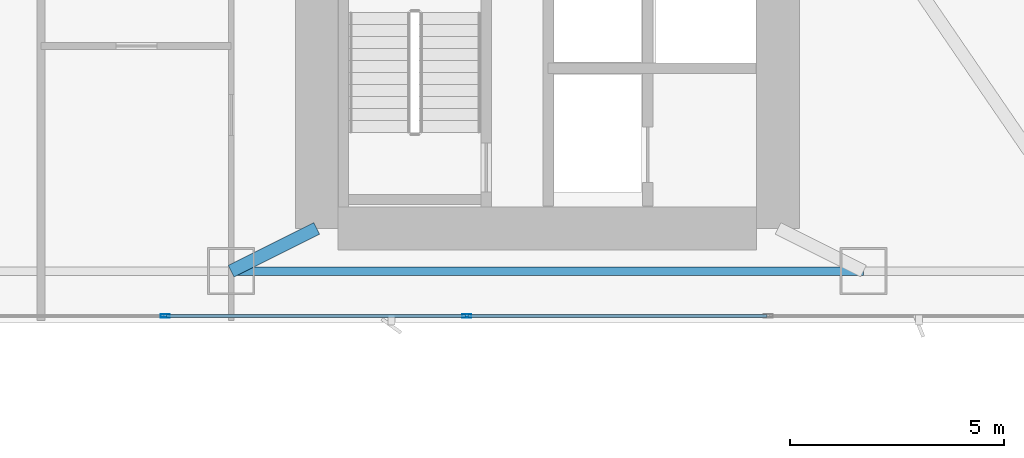
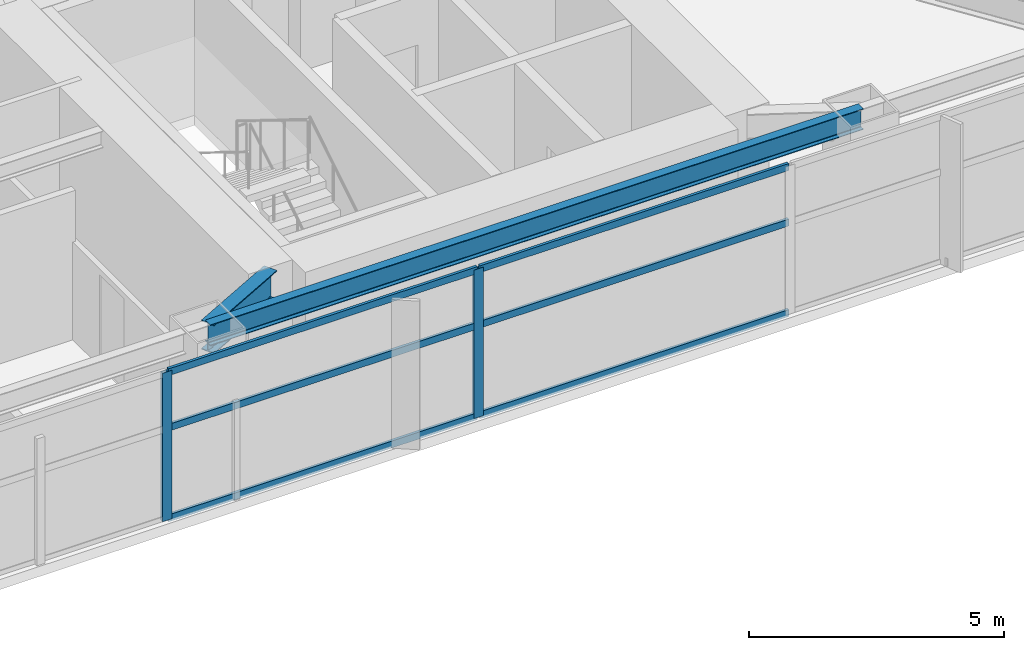
# One storey, part 6 of 29: 8 members, 2 beams, 1 element without a shape of its own.
"""IFC4 building model written with IfcOpenShell, lengths in metres."""

from ifc_helpers import new_model, si_unit, direction, frame, origin, origin_2d, place, context, subcontext, project, spatial, hollow_rectangle, i_section, extrude, material, layer, layer_set, material_profile, profile_set, type_object, element, aggregate, save


model = new_model("IFC4")

# Units and contexts
model_context = context("Model", 3, precision=1e-05, world=origin(), true_north=direction((0.0, 1.0)))
body_context = subcontext(model_context, "Body", "Model", "MODEL_VIEW")
ifc_project = project(units=[si_unit("LENGTHUNIT", "METRE"), si_unit("AREAUNIT", "SQUARE_METRE"), si_unit("VOLUMEUNIT", "CUBIC_METRE"), si_unit("PLANEANGLEUNIT", "RADIAN"), si_unit("MASSUNIT", "GRAM", prefix="KILO")], contexts=[model_context])

# Site, building, storey
site_placement = place(None, origin())
site = spatial("IfcSite", under=ifc_project, at=site_placement, CompositionType="ELEMENT")
building_placement = place(site_placement, origin())
building = spatial("IfcBuilding", under=site, at=building_placement, Name="Calvorn Quay Hotel", CompositionType="ELEMENT")
storey_placement = place(building_placement, frame((0.0, 0.0, 81.199951171875)))
storey = spatial("IfcBuildingStorey", under=building, at=storey_placement, Name="L19", CompositionType="ELEMENT", Elevation=81.199951171875)

# Beams
ifc_material_1 = material(Name="Steel Q390GJC", Category="steel")
ifc_material_profile_1 = material_profile(ifc_material_1, i_section(OverallWidth=0.300048828125, OverallDepth=0.699951171875, WebThickness=0.012939453125, FlangeThickness=0.02392578125, FilletRadius=0.02392578125, at=origin_2d()), Name="HN700x300x13x24")
ifc_profile_set_1 = profile_set([ifc_material_profile_1], Name="Steel Q390GJC")
beam_type_1 = type_object("IfcBeamType", Name="BM-GIRD-MAIN", PredefinedType="BEAM", material=ifc_profile_set_1)
beam_1_placement = place(storey_placement, frame((19.60009765625, 3.60009765625, 3.18994140625), z_axis=(0.894427191, 0.4472135955, 0.0), x_axis=(-0.4472135955, 0.894427191, 0.0)))
element("IfcBeam", 1, at=beam_1_placement, inside=storey, type_object=beam_type_1, Name="Beam BG-L19-S2", PredefinedType="BEAM", context=body_context, shape_type="SweptSolid", body=[
    extrude(i_section(OverallWidth=0.300048828125, OverallDepth=0.699951171875, WebThickness=0.012939453125, FlangeThickness=0.02392578125, FilletRadius=0.02392578125, at=origin_2d()), origin(), (0.0, 0.0, 1.0), 2.236083984375),
])
ifc_material_2 = material(Name="Steel Q355B", Category="steel")
ifc_material_profile_2 = material_profile(ifc_material_2, i_section(OverallWidth=0.199951171875, OverallDepth=0.5, WebThickness=0.010009765625, FlangeThickness=0.01611328125, FilletRadius=0.01611328125, at=origin_2d()), Name="HN500x200x10x16")
ifc_profile_set_2 = profile_set([ifc_material_profile_2], Name="Steel Q355B")
beam_type_2 = type_object("IfcBeamType", Name="BM-SPANDREL-Z1", PredefinedType="SPANDREL", material=ifc_profile_set_2)
beam_2_placement = place(storey_placement, frame((19.60009765625, 3.60009765625, 3.2900390625), z_axis=(1.0, 0.0, 0.0), x_axis=(0.0, 1.0, 0.0)))
element("IfcBeam", 2, at=beam_2_placement, inside=storey, type_object=beam_type_2, Name="Beam BSP-L19-S3", PredefinedType="SPANDREL", context=body_context, shape_type="SweptSolid", body=[
    extrude(i_section(OverallWidth=0.199951171875, OverallDepth=0.5, WebThickness=0.010009765625, FlangeThickness=0.01611328125, FilletRadius=0.01611328125, at=origin_2d()), origin(), (0.0, 0.0, 1.0), 14.7998046875),
])

# Curtain wall, members
ifc_material_3 = material(Name="Pale Anodised Aluminium and Low-E Glass", Category="aluminium")
ifc_layer = layer(ifc_material_3, 0.219970703125)
ifc_layer_set = layer_set([ifc_layer], Name="CW-SYS-Z1")
curtain_wall_type = type_object("IfcCurtainWallType", Name="CW-SYS-Z1", PredefinedType="NOTDEFINED", material=ifc_layer_set)
curtain_wall_placement = place(storey_placement, origin())
curtain_wall = element("IfcCurtainWall", 3, at=curtain_wall_placement, inside=storey, type_object=curtain_wall_type, Name="Tower South Waterfront Curtain Wall (L19)", PredefinedType="NOTDEFINED")
ifc_material_4 = material(Name="Pale Anodised Aluminium 6063-T6", Category="aluminium")
ifc_material_profile_3 = material_profile(ifc_material_4, hollow_rectangle(XDim=0.074951171875, YDim=0.219970703125, WallThickness=0.00439453125, at=origin_2d()), Name="ALU-M220x75x4.5")
ifc_profile_set_3 = profile_set([ifc_material_profile_3], Name="Pale Anodised Aluminium 6063-T6")
member_type_1 = type_object("IfcMemberType", Name="CW-SYS-Z1-MUL", PredefinedType="MULLION", material=ifc_profile_set_3)
member_1_placement = place(storey_placement, frame((18.05712890625, 2.550048828125, 0.0), z_axis=(0.0, 0.0, 1.0), x_axis=(0.0, 1.0, 0.0)))
member_1 = element("IfcMember", 4, at=member_1_placement, type_object=member_type_1, Name="CW-L19-S mullion 2", PredefinedType="MULLION", context=body_context, shape_type="SweptSolid", body=[
    extrude(hollow_rectangle(XDim=0.074951171875, YDim=0.219970703125, WallThickness=0.00439453125, at=origin_2d()), origin(), (0.0, 0.0, 1.0), 3.56005859375),
])
member_2_placement = place(storey_placement, frame((25.1142578125, 2.550048828125, 0.0), z_axis=(0.0, 0.0, 1.0), x_axis=(0.0, 1.0, 0.0)))
member_2 = element("IfcMember", 5, at=member_2_placement, type_object=member_type_1, Name="CW-L19-S mullion 3", PredefinedType="MULLION", context=body_context, shape_type="SweptSolid", body=[
    extrude(hollow_rectangle(XDim=0.074951171875, YDim=0.219970703125, WallThickness=0.00439453125, at=origin_2d()), origin(), (0.0, 0.0, 1.0), 3.56005859375),
])
ifc_material_5 = material(Name="Pale Anodised Aluminium 6063-T6", Category="aluminium")
ifc_material_profile_4 = material_profile(ifc_material_5, hollow_rectangle(XDim=0.06494140625, YDim=0.1650390625, WallThickness=0.00341796875, at=origin_2d()), Name="ALU-T165x65x3.5")
ifc_profile_set_4 = profile_set([ifc_material_profile_4], Name="Pale Anodised Aluminium 6063-T6")
member_type_2 = type_object("IfcMemberType", Name="CW-SYS-Z1-TRN", PredefinedType="USERDEFINED", material=ifc_profile_set_4)
member_3_placement = place(storey_placement, frame((18.087158203125, 2.550048828125, 0.030029296875), z_axis=(1.0, 0.0, 0.0), x_axis=(0.0, 1.0, 0.0)))
member_3 = element("IfcMember", 6, at=member_3_placement, type_object=member_type_2, Name="CW-L19-S transom 2.1", ObjectType="TRANSOM", PredefinedType="USERDEFINED", context=body_context, shape_type="SweptSolid", body=[
    extrude(hollow_rectangle(XDim=0.06494140625, YDim=0.1650390625, WallThickness=0.00341796875, at=origin_2d()), origin(), (0.0, 0.0, 1.0), 6.9970703125),
])
member_4_placement = place(storey_placement, frame((18.087158203125, 2.550048828125, 2.199951171875), z_axis=(1.0, 0.0, 0.0), x_axis=(0.0, 1.0, 0.0)))
member_4 = element("IfcMember", 7, at=member_4_placement, type_object=member_type_2, Name="CW-L19-S transom 2.2", ObjectType="TRANSOM", PredefinedType="USERDEFINED", context=body_context, shape_type="SweptSolid", body=[
    extrude(hollow_rectangle(XDim=0.06494140625, YDim=0.1650390625, WallThickness=0.00341796875, at=origin_2d()), origin(), (0.0, 0.0, 1.0), 6.9970703125),
])
member_5_placement = place(storey_placement, frame((18.087158203125, 2.550048828125, 3.530029296875), z_axis=(1.0, 0.0, 0.0), x_axis=(0.0, 1.0, 0.0)))
member_5 = element("IfcMember", 8, at=member_5_placement, type_object=member_type_2, Name="CW-L19-S transom 2.3", ObjectType="TRANSOM", PredefinedType="USERDEFINED", context=body_context, shape_type="SweptSolid", body=[
    extrude(hollow_rectangle(XDim=0.06494140625, YDim=0.1650390625, WallThickness=0.00341796875, at=origin_2d()), origin(), (0.0, 0.0, 1.0), 6.9970703125),
])
member_6_placement = place(storey_placement, frame((25.144287109375, 2.550048828125, 0.030029296875), z_axis=(1.0, 0.0, 0.0), x_axis=(0.0, 1.0, 0.0)))
member_6 = element("IfcMember", 9, at=member_6_placement, type_object=member_type_2, Name="CW-L19-S transom 3.1", ObjectType="TRANSOM", PredefinedType="USERDEFINED", context=body_context, shape_type="SweptSolid", body=[
    extrude(hollow_rectangle(XDim=0.06494140625, YDim=0.1650390625, WallThickness=0.00341796875, at=origin_2d()), origin(), (0.0, 0.0, 1.0), 6.9970703125),
])
member_7_placement = place(storey_placement, frame((25.144287109375, 2.550048828125, 2.199951171875), z_axis=(1.0, 0.0, 0.0), x_axis=(0.0, 1.0, 0.0)))
member_7 = element("IfcMember", 10, at=member_7_placement, type_object=member_type_2, Name="CW-L19-S transom 3.2", ObjectType="TRANSOM", PredefinedType="USERDEFINED", context=body_context, shape_type="SweptSolid", body=[
    extrude(hollow_rectangle(XDim=0.06494140625, YDim=0.1650390625, WallThickness=0.00341796875, at=origin_2d()), origin(), (0.0, 0.0, 1.0), 6.9970703125),
])
member_8_placement = place(storey_placement, frame((25.144287109375, 2.550048828125, 3.530029296875), z_axis=(1.0, 0.0, 0.0), x_axis=(0.0, 1.0, 0.0)))
member_8 = element("IfcMember", 11, at=member_8_placement, type_object=member_type_2, Name="CW-L19-S transom 3.3", ObjectType="TRANSOM", PredefinedType="USERDEFINED", context=body_context, shape_type="SweptSolid", body=[
    extrude(hollow_rectangle(XDim=0.06494140625, YDim=0.1650390625, WallThickness=0.00341796875, at=origin_2d()), origin(), (0.0, 0.0, 1.0), 6.9970703125),
])
aggregate(curtain_wall, [member_1, member_2, member_3, member_4, member_5, member_6, member_7, member_8])

save(model, "model.ifc")
